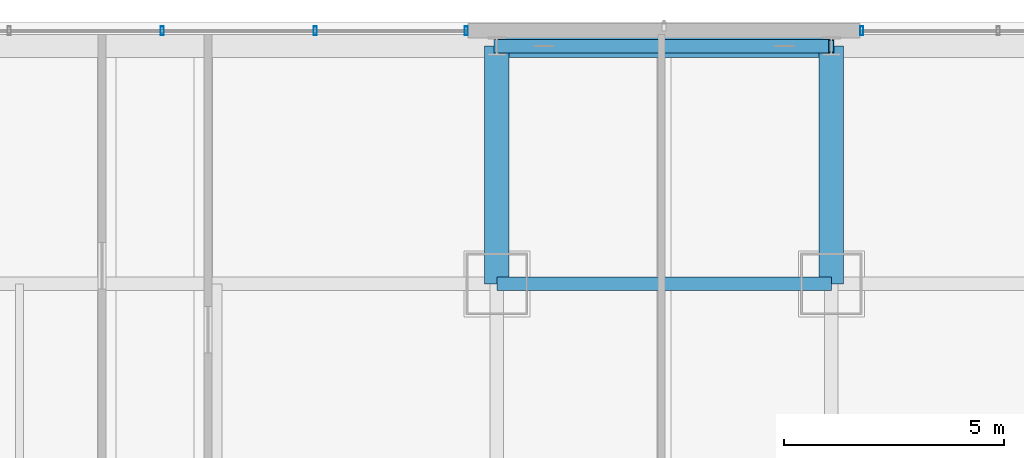
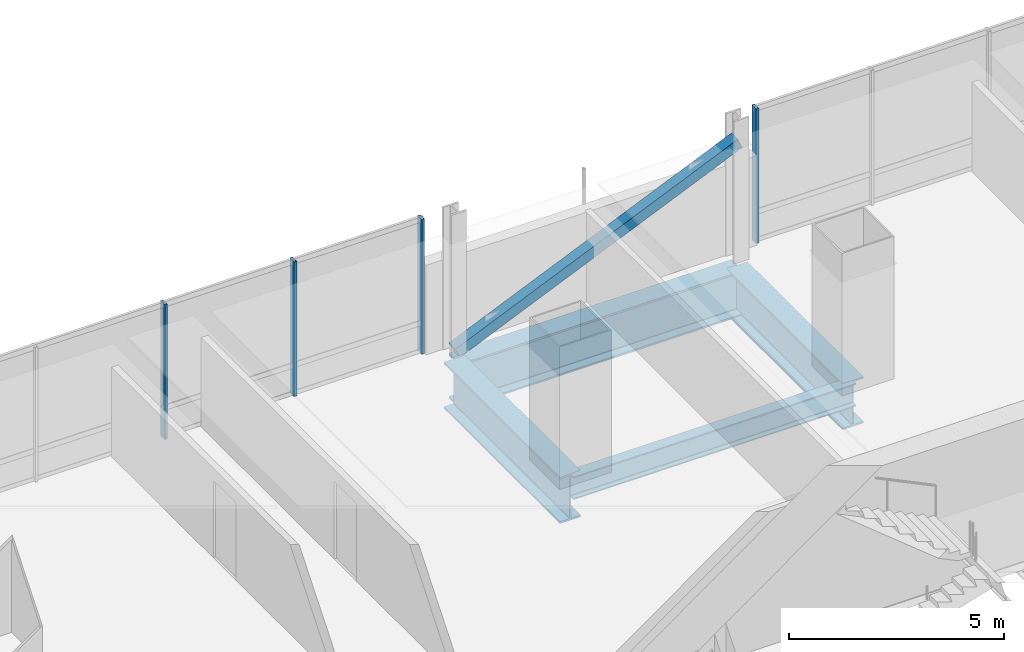
# One storey, part 23 of 38: 5 members, 4 beams, 2 elements without a shape of their own.
"""IFC4 building model written with IfcOpenShell, lengths in metres."""

from ifc_helpers import new_model, si_unit, direction, frame, origin, origin_2d, place, context, subcontext, project, spatial, hollow_rectangle, i_section, extrude, material, material_profile, profile_set, type_object, element, aggregate, save


model = new_model("IFC4")

# Units and contexts
model_context = context("Model", 3, precision=1e-05, world=origin(), true_north=direction((0.0, 1.0)))
body_context = subcontext(model_context, "Body", "Model", "MODEL_VIEW")
ifc_project = project(units=[si_unit("LENGTHUNIT", "METRE"), si_unit("AREAUNIT", "SQUARE_METRE"), si_unit("VOLUMEUNIT", "CUBIC_METRE"), si_unit("PLANEANGLEUNIT", "RADIAN"), si_unit("MASSUNIT", "GRAM", prefix="KILO")], contexts=[model_context])

# Site, building, storey
site_placement = place(None, origin())
site = spatial("IfcSite", under=ifc_project, at=site_placement, CompositionType="ELEMENT")
building_placement = place(site_placement, origin())
building = spatial("IfcBuilding", under=site, at=building_placement, Name="Punatoya Terracotta Tower", CompositionType="ELEMENT")
storey_placement = place(building_placement, frame((0.0, 0.0, 156.0)))
storey = spatial("IfcBuildingStorey", under=building, at=storey_placement, Name="L36", CompositionType="ELEMENT", Elevation=156.0)

# Beams
ifc_material_1 = material(Name="Steel S355", Category="steel")
ifc_material_profile_1 = material_profile(ifc_material_1, i_section(OverallWidth=0.300048828125, OverallDepth=0.64990234375, WebThickness=0.01611328125, FlangeThickness=0.031005859375, FilletRadius=0.01806640625, at=origin_2d()))
ifc_profile_set_1 = profile_set([ifc_material_profile_1], Name="Steel S355")
beam_type_1 = type_object("IfcBeamType", Name="BM-PRI-650", PredefinedType="BEAM", material=ifc_profile_set_1)
beam_1_placement = place(storey_placement, frame((-3.800048828125, 17.5, -0.544921875), z_axis=(1.0, 0.0, 0.0), x_axis=(0.0, 1.0, 0.0)))
element("IfcBeam", 1, at=beam_1_placement, inside=storey, type_object=beam_type_1, Name="BM-L36-RG-N2", PredefinedType="BEAM", context=body_context, shape_type="SweptSolid", body=[
    extrude(i_section(OverallWidth=0.300048828125, OverallDepth=0.64990234375, WebThickness=0.01611328125, FlangeThickness=0.031005859375, FilletRadius=0.01806640625, at=origin_2d()), origin(), (0.0, 0.0, 1.0), 7.60009765625),
])
ifc_material_2 = material(Name="Steel S460", Category="steel")
ifc_material_profile_2 = material_profile(ifc_material_2, i_section(OverallWidth=0.56005859375, OverallDepth=1.320068359375, WebThickness=0.035888671875, FlangeThickness=0.054931640625, FilletRadius=0.01806640625, at=origin_2d()))
ifc_profile_set_2 = profile_set([ifc_material_profile_2], Name="Steel S460")
beam_type_2 = type_object("IfcBeamType", Name="BM-TG-BLK", PredefinedType="BEAM", material=ifc_profile_set_2)
for number, where, z_axis, x_axis, name in (
    (2, (-3.800048828125, 17.5, -0.8798828125), (0.0, 1.0, 0.0), (-1.0, 0.0, 0.0), "BM-L36-CANT-N2"),
    (3, (3.800048828125, 17.5, -0.8798828125), (0.0, 1.0, 0.0), (-1.0, 0.0, 0.0), "BM-L36-CANT-N3"),
):
    element("IfcBeam", number, at=place(storey_placement, frame(where, z_axis=z_axis, x_axis=x_axis)), inside=storey, type_object=beam_type_2, Name=name, PredefinedType="BEAM", context=body_context, shape_type="SweptSolid", body=[
        extrude(i_section(OverallWidth=0.56005859375, OverallDepth=1.320068359375, WebThickness=0.035888671875, FlangeThickness=0.054931640625, FilletRadius=0.01806640625, at=origin_2d()), origin(), (0.0, 0.0, 1.0), 5.39990234375),
    ])
ifc_material_profile_3 = material_profile(ifc_material_2, i_section(OverallWidth=0.52001953125, OverallDepth=1.280029296875, WebThickness=0.031982421875, FlangeThickness=0.050048828125, FilletRadius=0.01806640625, at=origin_2d()))
ifc_profile_set_3 = profile_set([ifc_material_profile_3], Name="Steel S460")
beam_type_3 = type_object("IfcBeamType", Name="BM-TG-NCK", PredefinedType="BEAM", material=ifc_profile_set_3)
beam_2_placement = place(storey_placement, frame((-3.800048828125, 22.89990234375, -0.860107421875), z_axis=(1.0, 0.0, 0.0), x_axis=(0.0, 1.0, 0.0)))
element("IfcBeam", 4, at=beam_2_placement, inside=storey, type_object=beam_type_3, Name="BM-L36-PER-N2", PredefinedType="BEAM", context=body_context, shape_type="SweptSolid", body=[
    extrude(i_section(OverallWidth=0.52001953125, OverallDepth=1.280029296875, WebThickness=0.031982421875, FlangeThickness=0.050048828125, FilletRadius=0.01806640625, at=origin_2d()), origin(), (0.0, 0.0, 1.0), 7.60009765625),
])

# Curtain wall, member
ifc_material_3 = material(Name="Aluminium 6063-T6 + Double Low-E Glass", Category="aluminium")
curtain_wall_type = type_object("IfcCurtainWallType", Name="CW-M2", PredefinedType="NOTDEFINED", material=ifc_material_3)
curtain_wall_1_placement = place(storey_placement, origin())
curtain_wall_1 = element("IfcCurtainWall", 5, at=curtain_wall_1_placement, inside=storey, type_object=curtain_wall_type, Name="L36 Curtain Wall CW-L36-N09-1", PredefinedType="NOTDEFINED")
ifc_material_4 = material(Name="Aluminium 6063-T6", Category="aluminium")
ifc_material_profile_4 = material_profile(ifc_material_4, hollow_rectangle(XDim=0.072021484375, YDim=0.195068359375, WallThickness=0.00439453125, at=origin_2d()))
ifc_profile_set_4 = profile_set([ifc_material_profile_4], Name="Aluminium 6063-T6")
member_type_1 = type_object("IfcMemberType", Name="CW-MUL-M2", PredefinedType="MULLION", material=ifc_profile_set_4)
member_1_placement = place(storey_placement, frame((4.4951171875, 23.25, 0.0), z_axis=(0.0, 0.0, 1.0), x_axis=(1.0, 0.0, 0.0)))
member_1 = element("IfcMember", 6, at=member_1_placement, type_object=member_type_1, Name="CW-L36-N09-1 Mullion 04", PredefinedType="MULLION", context=body_context, shape_type="SweptSolid", body=[
    extrude(hollow_rectangle(XDim=0.072021484375, YDim=0.195068359375, WallThickness=0.00439453125, at=origin_2d()), origin(), (0.0, 0.0, 1.0), 3.830078125),
])
aggregate(curtain_wall_1, [member_1])

# Curtain wall, members
curtain_wall_2_placement = place(storey_placement, origin())
curtain_wall_2 = element("IfcCurtainWall", 7, at=curtain_wall_2_placement, inside=storey, type_object=curtain_wall_type, Name="L36 Curtain Wall CW-L36-N09-2", PredefinedType="NOTDEFINED")
member_2_placement = place(storey_placement, frame((-4.4951171875, 23.25, 0.0), z_axis=(0.0, 0.0, 1.0), x_axis=(1.0, 0.0, 0.0)))
member_2 = element("IfcMember", 8, at=member_2_placement, type_object=member_type_1, Name="CW-L36-N09-2 Mullion 00", PredefinedType="MULLION", context=body_context, shape_type="SweptSolid", body=[
    extrude(hollow_rectangle(XDim=0.072021484375, YDim=0.195068359375, WallThickness=0.00439453125, at=origin_2d()), origin(), (0.0, 0.0, 1.0), 3.830078125),
])
member_3_placement = place(storey_placement, frame((-7.927490234375, 23.25, 0.0), z_axis=(0.0, 0.0, 1.0), x_axis=(1.0, 0.0, 0.0)))
member_3 = element("IfcMember", 9, at=member_3_placement, type_object=member_type_1, Name="CW-L36-N09-2 Mullion 01", PredefinedType="MULLION", context=body_context, shape_type="SweptSolid", body=[
    extrude(hollow_rectangle(XDim=0.072021484375, YDim=0.195068359375, WallThickness=0.00439453125, at=origin_2d()), origin(), (0.0, 0.0, 1.0), 3.830078125),
])
member_4_placement = place(storey_placement, frame((-11.40478515625, 23.25, 0.0), z_axis=(0.0, 0.0, 1.0), x_axis=(1.0, 0.0, 0.0)))
member_4 = element("IfcMember", 10, at=member_4_placement, type_object=member_type_1, Name="CW-L36-N09-2 Mullion 02", PredefinedType="MULLION", context=body_context, shape_type="SweptSolid", body=[
    extrude(hollow_rectangle(XDim=0.072021484375, YDim=0.195068359375, WallThickness=0.00439453125, at=origin_2d()), origin(), (0.0, 0.0, 1.0), 3.830078125),
])
aggregate(curtain_wall_2, [member_2, member_3, member_4])

# Member
ifc_material_profile_5 = material_profile(ifc_material_1, hollow_rectangle(XDim=0.300048828125, YDim=0.300048828125, WallThickness=0.01611328125, at=origin_2d()))
ifc_profile_set_5 = profile_set([ifc_material_profile_5], Name="Steel S355")
member_type_2 = type_object("IfcMemberType", Name="MEM-WND-300", PredefinedType="BRACE", material=ifc_profile_set_5)
member_5_placement = place(storey_placement, frame((-3.800048828125, 22.89990234375, 0.02001953125), z_axis=(0.916819844003, 0.0, 0.399301106489), x_axis=(0.0, 1.0, 0.0)))
element("IfcMember", 11, at=member_5_placement, inside=storey, type_object=member_type_2, Name="L36 Perimeter Wind Brace N2", PredefinedType="BRACE", context=body_context, shape_type="SweptSolid", body=[
    extrude(hollow_rectangle(XDim=0.300048828125, YDim=0.300048828125, WallThickness=0.01611328125, at=origin_2d()), origin(), (0.0, 0.0, 1.0), 8.28955078125),
])

save(model, "model.ifc")
